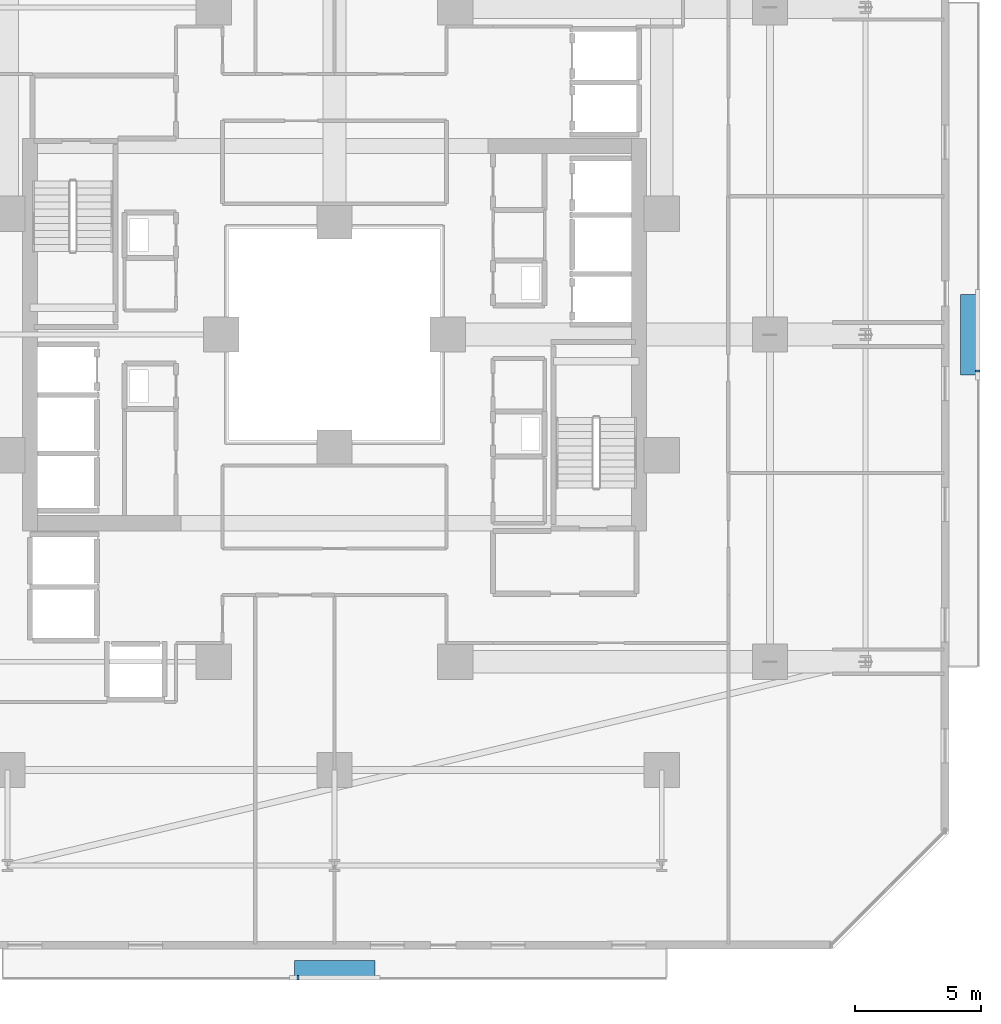
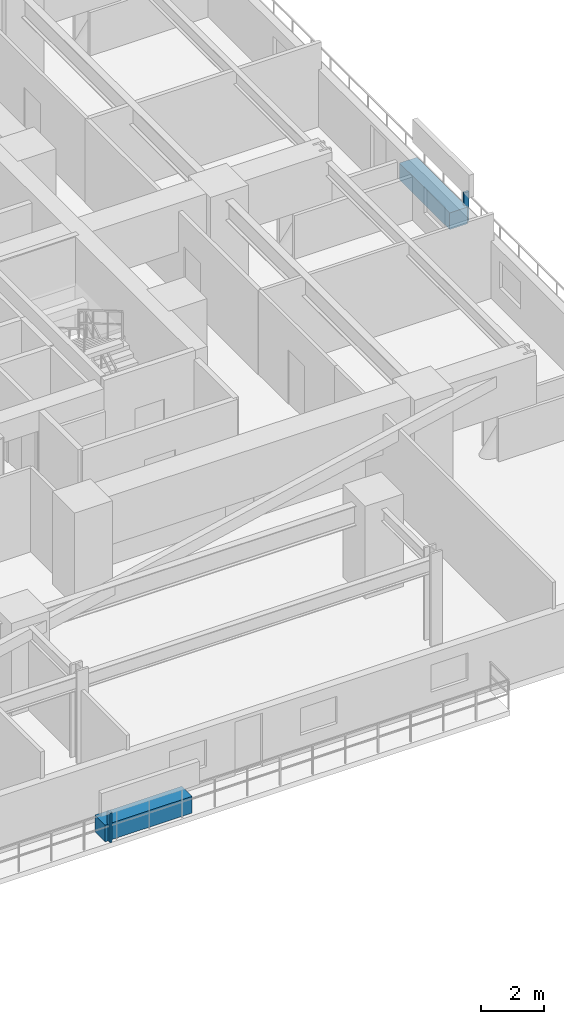
# One storey, part 31 of 36: 4 discrete accessories.
"""IFC4 building model written with IfcOpenShell, lengths in metres."""

from ifc_helpers import new_model, si_unit, direction, frame, origin, origin_2d, place, context, subcontext, project, spatial, rectangle, extrude, material, type_object, element, save


model = new_model("IFC4")

# Units and contexts
model_context = context("Model", 3, precision=1e-05, world=origin(), true_north=direction((0.0, 1.0)))
body_context = subcontext(model_context, "Body", "Model", "MODEL_VIEW")
ifc_project = project(units=[si_unit("LENGTHUNIT", "METRE"), si_unit("AREAUNIT", "SQUARE_METRE"), si_unit("VOLUMEUNIT", "CUBIC_METRE"), si_unit("PLANEANGLEUNIT", "RADIAN"), si_unit("MASSUNIT", "GRAM", prefix="KILO")], contexts=[model_context])

# Site, building, storey
site_placement = place(None, origin())
site = spatial("IfcSite", under=ifc_project, at=site_placement, CompositionType="ELEMENT")
building_placement = place(site_placement, origin())
building = spatial("IfcBuilding", under=site, at=building_placement, Name="Thornwick Lancets Civic Towers", CompositionType="ELEMENT")
storey_placement = place(building_placement, frame((0.0, 0.0, 45.89990234375)))
storey = spatial("IfcBuildingStorey", under=building, at=storey_placement, Name="L11", CompositionType="ELEMENT", Elevation=45.89990234375)

# Discrete accessories
ifc_material_1 = material(Name="Planted terracotta greenery planter", Category="masonry")
discrete_accessory_type_1 = type_object("IfcDiscreteAccessoryType", Name="ACC_PLANTER_BOX", PredefinedType="USERDEFINED", material=ifc_material_1)
discrete_accessory_1_placement = place(storey_placement, frame((88.5, 1.800048828125, 0.000244140625), z_axis=(0.0, 0.0, 1.0), x_axis=(1.0, 0.0, 0.0)))
element("IfcDiscreteAccessory", 1, at=discrete_accessory_1_placement, inside=storey, type_object=discrete_accessory_type_1, Name="L11 Tower B Balcony Greenery Planter S", ObjectType="PLANTER", PredefinedType="USERDEFINED", context=body_context, shape_type="SweptSolid", body=[
    extrude(rectangle(XDim=3.199951171875, YDim=0.64990234375, at=origin_2d()), origin(), (0.0, 0.0, 1.0), 0.64990234375),
])
discrete_accessory_2_placement = place(storey_placement, frame((113.699951171875, 27.0, 0.000244140625), z_axis=(0.0, 0.0, 1.0), x_axis=(1.0, 0.0, 0.0)))
element("IfcDiscreteAccessory", 2, at=discrete_accessory_2_placement, inside=storey, type_object=discrete_accessory_type_1, Name="L11 Tower B Balcony Greenery Planter E", ObjectType="PLANTER", PredefinedType="USERDEFINED", context=body_context, shape_type="SweptSolid", body=[
    extrude(rectangle(XDim=0.64990234375, YDim=3.199951171875, at=origin_2d()), origin(), (0.0, 0.0, 1.0), 0.64990234375),
])
ifc_material_2 = material(Name="Stainless steel S355", Category="steel")
discrete_accessory_type_2 = type_object("IfcDiscreteAccessoryType", Name="ACC_SCREEN_BRACKET", PredefinedType="BRACKET", material=ifc_material_2)
for number, where, z_axis, x_axis, name in (
    (3, (87.050048828125, 1.43994140625, 0.000244140625), (0.0, 0.0, 1.0), (1.0, 0.0, 0.0), "L11 Tower B Balcony Screen Stanchion Bracket S-1"),
    (4, (114.06005859375, 25.550048828125, 0.000244140625), (0.0, 0.0, 1.0), (0.0, 1.0, 0.0), "L11 Tower B Balcony Screen Stanchion Bracket E-1"),
):
    element("IfcDiscreteAccessory", number, at=place(storey_placement, frame(where, z_axis=z_axis, x_axis=x_axis)), inside=storey, type_object=discrete_accessory_type_2, Name=name, PredefinedType="BRACKET", context=body_context, shape_type="SweptSolid", body=[
        extrude(rectangle(XDim=0.080078125, YDim=0.179931640625, at=origin_2d()), origin(), (0.0, 0.0, 1.0), 1.14990234375),
    ])

save(model, "model.ifc")
